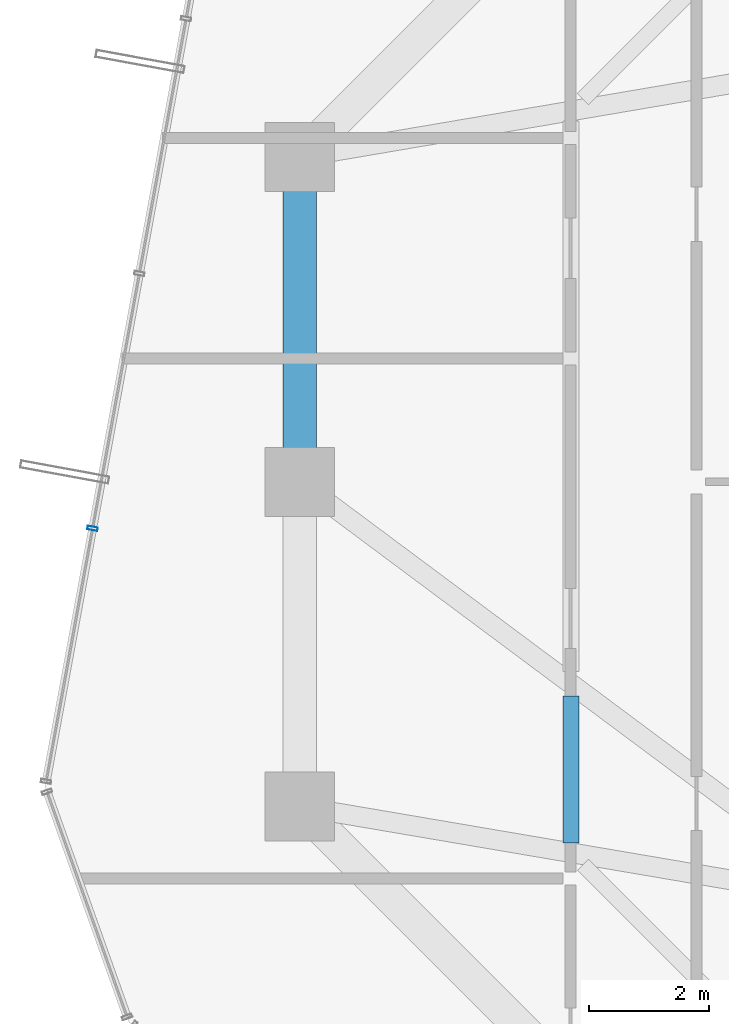
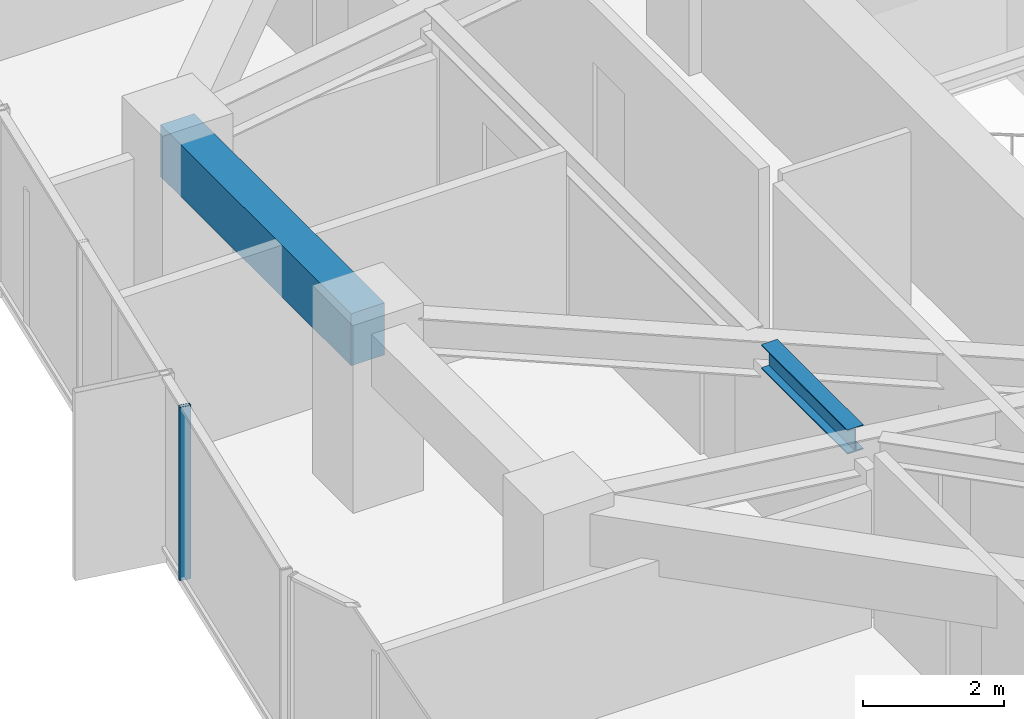
# One storey, part 11 of 33: 2 beams, 1 member, 1 element without a shape of its own.
"""IFC4 building model written with IfcOpenShell, lengths in metres."""

from ifc_helpers import new_model, si_unit, direction, frame, origin, origin_2d, place, context, subcontext, project, spatial, rectangle, hollow_rectangle, i_section, extrude, source, transform, mapped, material, layer, layer_set, material_profile, profile_set, type_object, element, aggregate, save


model = new_model("IFC4")

# Units and contexts
model_context = context("Model", 3, precision=1e-05, world=origin(), true_north=direction((0.0, 1.0)))
body_context = subcontext(model_context, "Body", "Model", "MODEL_VIEW")
ifc_project = project(units=[si_unit("LENGTHUNIT", "METRE"), si_unit("AREAUNIT", "SQUARE_METRE"), si_unit("VOLUMEUNIT", "CUBIC_METRE"), si_unit("PLANEANGLEUNIT", "RADIAN"), si_unit("MASSUNIT", "GRAM", prefix="KILO")], contexts=[model_context])

# Site, building, storey
site_placement = place(None, origin())
site = spatial("IfcSite", under=ifc_project, at=site_placement, CompositionType="ELEMENT")
building_placement = place(site_placement, origin())
building = spatial("IfcBuilding", under=site, at=building_placement, Name="Veraguas Prism Commons", CompositionType="ELEMENT")
storey_placement = place(building_placement, frame((0.0, 0.0, 92.699951171875)))
storey = spatial("IfcBuildingStorey", under=building, at=storey_placement, Name="L25", CompositionType="ELEMENT", Elevation=92.699951171875)

# Beams
ifc_material_1 = material(Name="Steel ASTM A992 Grade 50", Category="steel")
ifc_material_profile_1 = material_profile(ifc_material_1, i_section(OverallWidth=0.260986328125, OverallDepth=0.419921875, WebThickness=0.01171875, FlangeThickness=0.019287109375, at=origin_2d()), Name="W410X114")
ifc_profile_set_1 = profile_set([ifc_material_profile_1], Name="Steel ASTM A992 Grade 50")
beam_type_1 = type_object("IfcBeamType", Name="Lower Floor Joist W410x114", PredefinedType="JOIST", material=ifc_profile_set_1)
beam_1_placement = place(storey_placement, frame((12.31201171875, 20.43798828125, 2.7900390625), z_axis=(0.0, -1.0, 0.0), x_axis=(1.0, 0.0, 0.0)))
element("IfcBeam", 1, at=beam_1_placement, inside=storey, type_object=beam_type_1, Name="Composite Floor Joist L25-JS08", PredefinedType="JOIST", context=body_context, shape_type="SweptSolid", body=[
    extrude(i_section(OverallWidth=0.260986328125, OverallDepth=0.419921875, WebThickness=0.01171875, FlangeThickness=0.019287109375, at=origin_2d()), origin(), (0.0, 0.0, 1.0), 2.441650390625),
])
ifc_material_2 = material(Name="Concrete C50/60", Category="concrete")
ifc_material_profile_2 = material_profile(ifc_material_2, rectangle(XDim=0.550048828125, YDim=0.89990234375, at=origin_2d()), Name="RC550X900")
ifc_profile_set_2 = profile_set([ifc_material_profile_2], Name="Concrete C50/60")
beam_type_2 = type_object("IfcBeamType", Name="Perimeter Spandrel Lower RC 550x900", PredefinedType="SPANDREL", material=ifc_profile_set_2)
beam_2_placement = place(storey_placement, frame((7.800048828125, 29.39990234375, 2.550048828125), z_axis=(0.0, -1.0, 0.0), x_axis=(1.0, 0.0, 0.0)))
element("IfcBeam", 2, at=beam_2_placement, inside=storey, type_object=beam_type_2, Name="Perimeter Spandrel Beam L25-SP07", PredefinedType="SPANDREL", context=body_context, shape_type="SweptSolid", body=[
    extrude(rectangle(XDim=0.550048828125, YDim=0.89990234375, at=origin_2d()), origin(), (0.0, 0.0, 1.0), 5.39990234375),
])

# Curtain wall, member
ifc_material_3 = material(Name="Anodised aluminium EN AW-6063 T6", Category="aluminium")
ifc_layer = layer(ifc_material_3, 0.169921875, Name="Unitised Flush Curtain Wall Zone 2", Category="aluminium")
ifc_layer_set = layer_set([ifc_layer], Name="Anodised aluminium EN AW-6063 T6")
curtain_wall_type = type_object("IfcCurtainWallType", Name="Unitised Flush Curtain Wall Zone 2", PredefinedType="NOTDEFINED", material=ifc_layer_set)
curtain_wall_placement = place(storey_placement, origin())
curtain_wall = element("IfcCurtainWall", 3, at=curtain_wall_placement, inside=storey, type_object=curtain_wall_type, Name="Tower Facade Curtain Wall L25-F3", PredefinedType="NOTDEFINED")
ifc_material_profile_3 = material_profile(ifc_material_3, hollow_rectangle(XDim=0.06005859375, YDim=0.169921875, WallThickness=0.00390625, at=origin_2d()), Name="AL60X170X4")
ifc_profile_set_3 = profile_set([ifc_material_profile_3], Name="Anodised aluminium EN AW-6063 T6")
member_type = type_object("IfcMemberType", Name="Curtain Wall Mullion Lower AL 60x170x4", PredefinedType="MULLION", material=ifc_profile_set_3)
shared_shape = source(origin(), body_context, "Body", "SweptSolid", [
    extrude(hollow_rectangle(XDim=0.06005859375, YDim=0.169921875, WallThickness=0.00390625, at=origin_2d()), origin(), (0.0, 0.0, 1.0), 3.0),
])
member_placement = place(storey_placement, frame((4.35498046875, 23.22509765625, 0.0), z_axis=(0.0, 0.0, 1.0), x_axis=(-0.180522578562, -0.983570840677, 0.0)))
member = element("IfcMember", 4, at=member_placement, type_object=member_type, Name="CW-Z2 Mullion 4", PredefinedType="MULLION", context=body_context, shape_type="MappedRepresentation", body=[
    mapped(shared_shape, transform((0.0, 0.0, 0.0), scale=1.0)),
])
aggregate(curtain_wall, [member])

save(model, "model.ifc")
